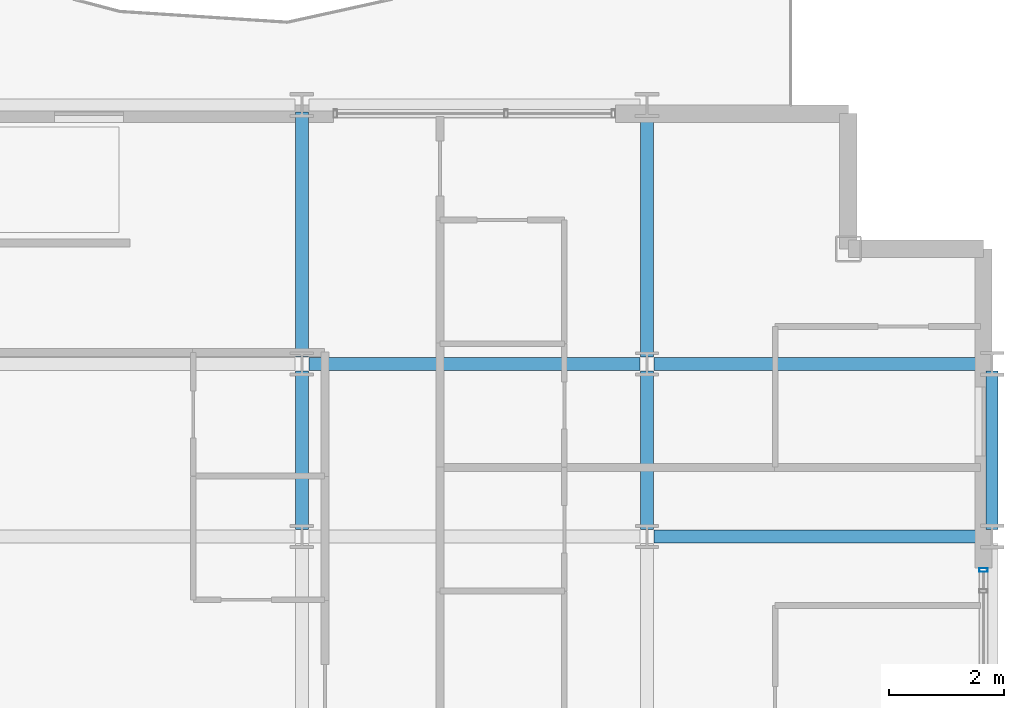
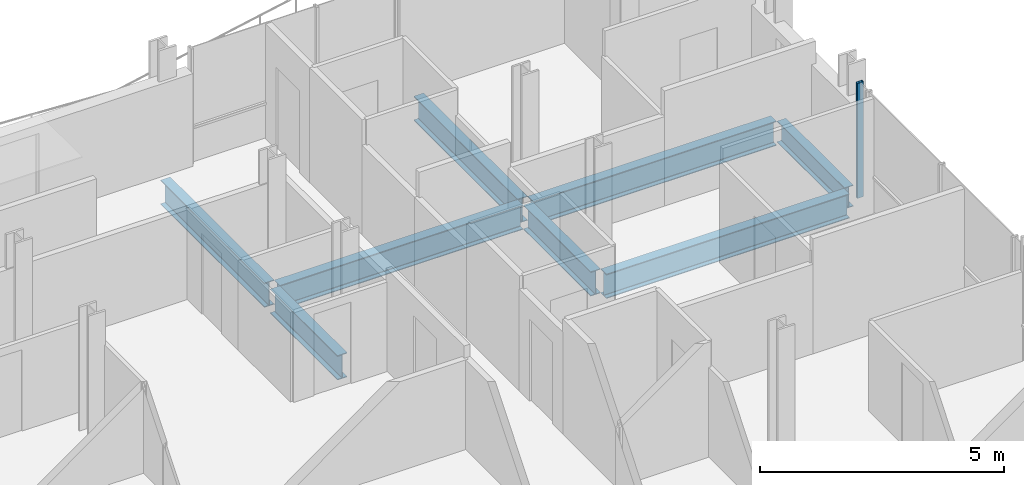
# One storey, part 20 of 41: 8 beams, 1 member, 1 element without a shape of its own.
"""IFC4 building model written with IfcOpenShell, lengths in metres."""

from ifc_helpers import new_model, si_unit, direction, frame, origin, origin_2d, place, context, subcontext, project, spatial, hollow_rectangle, i_section, extrude, material, layer, layer_set, material_profile, profile_set, type_object, element, aggregate, save


model = new_model("IFC4")

# Units and contexts
model_context = context("Model", 3, precision=1e-05, world=origin(), true_north=direction((0.0, 1.0)))
body_context = subcontext(model_context, "Body", "Model", "MODEL_VIEW")
ifc_project = project(units=[si_unit("LENGTHUNIT", "METRE"), si_unit("AREAUNIT", "SQUARE_METRE"), si_unit("VOLUMEUNIT", "CUBIC_METRE"), si_unit("PLANEANGLEUNIT", "RADIAN"), si_unit("MASSUNIT", "GRAM", prefix="KILO")], contexts=[model_context])

# Site, building, storey
site_placement = place(None, origin())
site = spatial("IfcSite", under=ifc_project, at=site_placement, CompositionType="ELEMENT")
building_placement = place(site_placement, origin())
building = spatial("IfcBuilding", under=site, at=building_placement, Name="Brevholm Reach", CompositionType="ELEMENT")
storey_placement = place(building_placement, frame((0.0, 0.0, 100.39990234375)))
storey = spatial("IfcBuildingStorey", under=building, at=storey_placement, Name="L29", CompositionType="ELEMENT", Elevation=100.39990234375)

# Beams
ifc_material_1 = material(Name="Structural Steel S355J2", Category="steel")
ifc_material_profile_1 = material_profile(ifc_material_1, i_section(OverallWidth=0.209228515625, OverallDepth=0.533203125, WebThickness=0.010009765625, FlangeThickness=0.015625, FilletRadius=0.0126953125, at=origin_2d()), Name="UKB 533x210x92")
ifc_profile_set_1 = profile_set([ifc_material_profile_1], Name="Structural Steel S355J2")
beam_type_1 = type_object("IfcBeamType", Name="BM-SP533", PredefinedType="SPANDREL", material=ifc_profile_set_1)
beam_1_placement = place(storey_placement, frame((60.0, 23.6201171875, -0.486572265625), z_axis=(0.0, 1.0, 0.0), x_axis=(-1.0, 0.0, 0.0)))
element("IfcBeam", 1, at=beam_1_placement, inside=storey, type_object=beam_type_1, Name="L29 SP-02 Framing Beam", PredefinedType="SPANDREL", context=body_context, shape_type="SweptSolid", body=[
    extrude(i_section(OverallWidth=0.209228515625, OverallDepth=0.533203125, WebThickness=0.010009765625, FlangeThickness=0.015625, FilletRadius=0.0126953125, at=origin_2d()), origin(), (0.0, 0.0, 1.0), 2.759765625),
])
ifc_material_2 = material(Name="Structural Steel S355J2", Category="steel")
ifc_material_profile_2 = material_profile(ifc_material_2, i_section(OverallWidth=0.22900390625, OverallDepth=0.6123046875, WebThickness=0.011962890625, FlangeThickness=0.01953125, FilletRadius=0.0126953125, at=origin_2d()), Name="UKB 610x229x125")
ifc_profile_set_2 = profile_set([ifc_material_profile_2], Name="Structural Steel S355J2")
beam_type_2 = type_object("IfcBeamType", Name="BM-SP610", PredefinedType="SPANDREL", material=ifc_profile_set_2)
for number, where, z_axis, x_axis, name in (
    (2, (54.1201171875, 23.5, -0.526123046875), (1.0, 0.0, 0.0), (0.0, 1.0, 0.0), "L29 SP-01 Framing Beam"),
    (3, (48.1201171875, 26.5, -0.526123046875), (1.0, 0.0, 0.0), (0.0, 1.0, 0.0), "L29 SP-01 Framing Beam"),
    (4, (54.1201171875, 26.5, -0.526123046875), (1.0, 0.0, 0.0), (0.0, 1.0, 0.0), "L29 SP-01 Framing Beam"),
):
    element("IfcBeam", number, at=place(storey_placement, frame(where, z_axis=z_axis, x_axis=x_axis)), inside=storey, type_object=beam_type_2, Name=name, PredefinedType="SPANDREL", context=body_context, shape_type="SweptSolid", body=[
        extrude(i_section(OverallWidth=0.22900390625, OverallDepth=0.6123046875, WebThickness=0.011962890625, FlangeThickness=0.01953125, FilletRadius=0.0126953125, at=origin_2d()), origin(), (0.0, 0.0, 1.0), 5.759765625),
    ])
beam_2_placement = place(storey_placement, frame((48.0, 23.6201171875, -0.526123046875), z_axis=(0.0, 1.0, 0.0), x_axis=(-1.0, 0.0, 0.0)))
element("IfcBeam", 5, at=beam_2_placement, inside=storey, type_object=beam_type_2, Name="L29 SP-01 Framing Beam", PredefinedType="SPANDREL", context=body_context, shape_type="SweptSolid", body=[
    extrude(i_section(OverallWidth=0.22900390625, OverallDepth=0.6123046875, WebThickness=0.011962890625, FlangeThickness=0.01953125, FilletRadius=0.0126953125, at=origin_2d()), origin(), (0.0, 0.0, 1.0), 2.759765625),
])
beam_3_placement = place(storey_placement, frame((48.0, 26.6201171875, -0.526123046875), z_axis=(0.0, 1.0, 0.0), x_axis=(-1.0, 0.0, 0.0)))
element("IfcBeam", 6, at=beam_3_placement, inside=storey, type_object=beam_type_2, Name="L29 SP-01 Framing Beam", PredefinedType="SPANDREL", context=body_context, shape_type="SweptSolid", body=[
    extrude(i_section(OverallWidth=0.22900390625, OverallDepth=0.6123046875, WebThickness=0.011962890625, FlangeThickness=0.01953125, FilletRadius=0.0126953125, at=origin_2d()), origin(), (0.0, 0.0, 1.0), 4.259765625),
])
beam_4_placement = place(storey_placement, frame((54.0, 23.6201171875, -0.526123046875), z_axis=(0.0, 1.0, 0.0), x_axis=(-1.0, 0.0, 0.0)))
element("IfcBeam", 7, at=beam_4_placement, inside=storey, type_object=beam_type_2, Name="L29 SP-01 Framing Beam", PredefinedType="SPANDREL", context=body_context, shape_type="SweptSolid", body=[
    extrude(i_section(OverallWidth=0.22900390625, OverallDepth=0.6123046875, WebThickness=0.011962890625, FlangeThickness=0.01953125, FilletRadius=0.0126953125, at=origin_2d()), origin(), (0.0, 0.0, 1.0), 2.759765625),
])
beam_5_placement = place(storey_placement, frame((54.0, 26.6201171875, -0.526123046875), z_axis=(0.0, 1.0, 0.0), x_axis=(-1.0, 0.0, 0.0)))
element("IfcBeam", 8, at=beam_5_placement, inside=storey, type_object=beam_type_2, Name="L29 SP-01 Framing Beam", PredefinedType="SPANDREL", context=body_context, shape_type="SweptSolid", body=[
    extrude(i_section(OverallWidth=0.22900390625, OverallDepth=0.6123046875, WebThickness=0.011962890625, FlangeThickness=0.01953125, FilletRadius=0.0126953125, at=origin_2d()), origin(), (0.0, 0.0, 1.0), 4.259765625),
])

# Curtain wall, member
ifc_material_3 = material(Name="Dark Anodised Aluminium 6063-T6 and Solar-Control Glass", Category="aluminium")
ifc_layer = layer(ifc_material_3, 0.14990234375)
ifc_layer_set = layer_set([ifc_layer], Name="Dark Anodised Aluminium 6063-T6 and Solar-Control Glass")
curtain_wall_type = type_object("IfcCurtainWallType", Name="CW-01", PredefinedType="NOTDEFINED", material=ifc_layer_set)
curtain_wall_placement = place(storey_placement, origin())
curtain_wall = element("IfcCurtainWall", 9, at=curtain_wall_placement, inside=storey, type_object=curtain_wall_type, Name="L29 Curtain Wall CW-01", PredefinedType="NOTDEFINED")
ifc_material_4 = material(Name="Dark Anodised Aluminium 6063-T6", Category="aluminium")
ifc_material_profile_3 = material_profile(ifc_material_4, hollow_rectangle(XDim=0.06494140625, YDim=0.14990234375, WallThickness=0.0048828125, InnerFilletRadius=0.0048828125, OuterFilletRadius=0.010009765625, at=origin_2d()), Name="RHS 150x65x5")
ifc_profile_set_3 = profile_set([ifc_material_profile_3], Name="Dark Anodised Aluminium 6063-T6")
member_type = type_object("IfcMemberType", Name="CWM-150", PredefinedType="MULLION", material=ifc_profile_set_3)
member_placement = place(storey_placement, frame((59.85009765625, 22.91748046875, 0.0), z_axis=(0.0, 0.0, 1.0), x_axis=(0.0, 1.0, 0.0)))
member = element("IfcMember", 10, at=member_placement, type_object=member_type, Name="CM-150 Mullion 6", PredefinedType="MULLION", context=body_context, shape_type="SweptSolid", body=[
    extrude(hollow_rectangle(XDim=0.06494140625, YDim=0.14990234375, WallThickness=0.0048828125, InnerFilletRadius=0.0048828125, OuterFilletRadius=0.010009765625, at=origin_2d()), origin(), (0.0, 0.0, 1.0), 2.880126953125),
])
aggregate(curtain_wall, [member])

save(model, "model.ifc")
